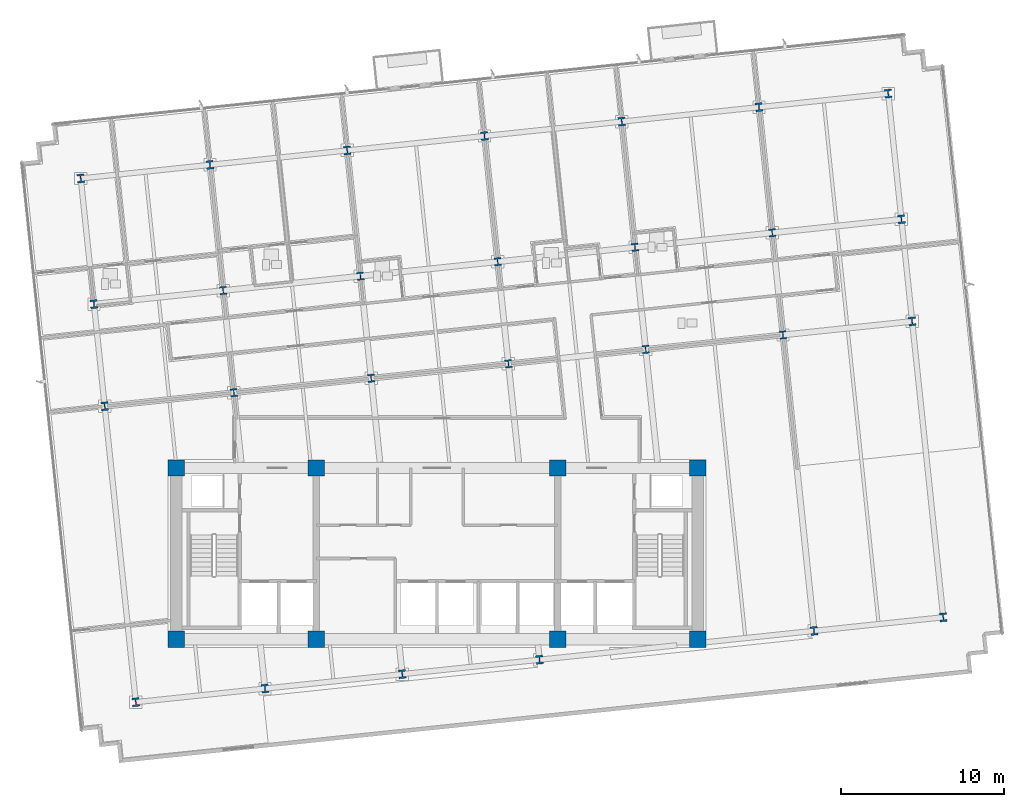
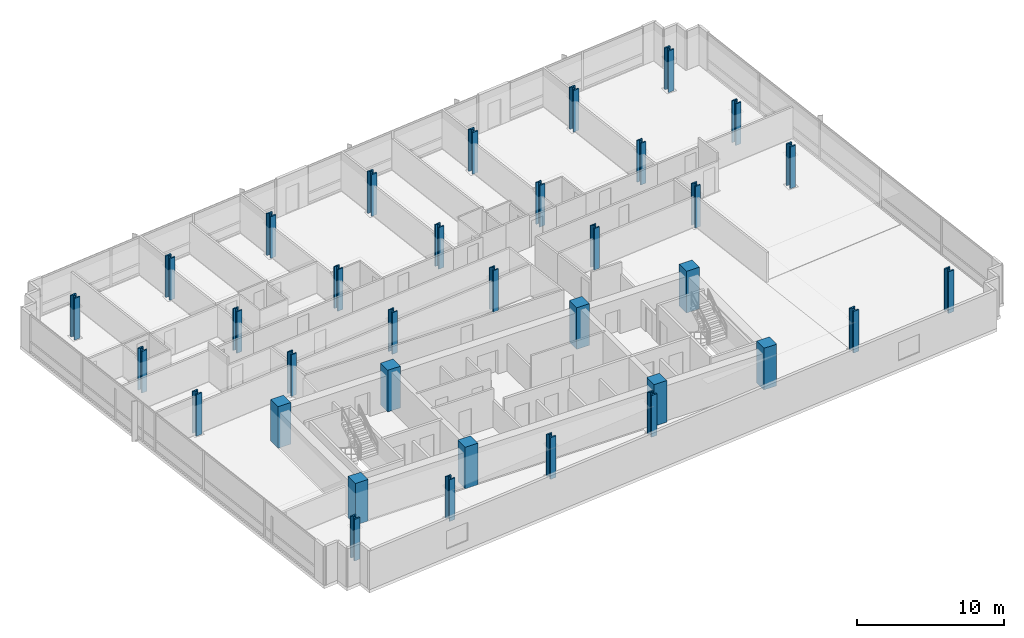
# One storey, part 1 of 18: 35 columns.
"""IFC4 building model written with IfcOpenShell, lengths in metres."""

from ifc_helpers import new_model, si_unit, direction, frame, origin, origin_2d, place, context, subcontext, project, spatial, rectangle, i_section, extrude, material, material_profile, profile_set, type_object, element, save


model = new_model("IFC4")

# Units and contexts
model_context = context("Model", 3, precision=1e-05, world=origin(), true_north=direction((0.0, 1.0)))
body_context = subcontext(model_context, "Body", "Model", "MODEL_VIEW")
ifc_project = project(units=[si_unit("LENGTHUNIT", "METRE"), si_unit("AREAUNIT", "SQUARE_METRE"), si_unit("VOLUMEUNIT", "CUBIC_METRE"), si_unit("PLANEANGLEUNIT", "RADIAN"), si_unit("MASSUNIT", "GRAM", prefix="KILO")], contexts=[model_context])

# Site, building, storey
site_placement = place(None, origin())
site = spatial("IfcSite", under=ifc_project, at=site_placement, CompositionType="ELEMENT")
building_placement = place(site_placement, origin())
building = spatial("IfcBuilding", under=site, at=building_placement, Name="Solmavex Isthmus Hotel", CompositionType="ELEMENT")
storey_placement = place(building_placement, frame((0.0, 0.0, 120.14990234375)))
storey = spatial("IfcBuildingStorey", under=building, at=storey_placement, Name="L32", CompositionType="ELEMENT", Elevation=120.14990234375)

# Columns
ifc_material_1 = material(Name="Concrete C60/75", Category="concrete")
ifc_material_profile_1 = material_profile(ifc_material_1, rectangle(XDim=1.0, YDim=1.0, at=origin_2d()), Name="RC1000X1000")
ifc_profile_set_1 = profile_set([ifc_material_profile_1], Name="Concrete C60/75")
column_type_1 = type_object("IfcColumnType", Name="COL-CC-1000", PredefinedType="COLUMN", material=ifc_profile_set_1)
for number, where, z_axis, x_axis, name in (
    (1, (-16.0, -13.0, 0.0), (0.0, 0.0, 1.0), (1.0, 0.0, 0.0), "Core Pilaster CC-SW L32"),
    (2, (-7.39990234375, -13.0, 0.0), (0.0, 0.0, 1.0), (1.0, 0.0, 0.0), "Core Pilaster CC-S1 L32"),
    (3, (7.39990234375, -13.0, 0.0), (0.0, 0.0, 1.0), (1.0, 0.0, 0.0), "Core Pilaster CC-S2 L32"),
    (4, (16.0, -13.0, 0.0), (0.0, 0.0, 1.0), (1.0, 0.0, 0.0), "Core Pilaster CC-SE L32"),
    (5, (-16.0, -2.5, 0.0), (0.0, 0.0, 1.0), (1.0, 0.0, 0.0), "Core Pilaster CC-NW L32"),
    (6, (-7.39990234375, -2.5, 0.0), (0.0, 0.0, 1.0), (1.0, 0.0, 0.0), "Core Pilaster CC-N1 L32"),
    (7, (7.39990234375, -2.5, 0.0), (0.0, 0.0, 1.0), (1.0, 0.0, 0.0), "Core Pilaster CC-N2 L32"),
    (8, (16.0, -2.5, 0.0), (0.0, 0.0, 1.0), (1.0, 0.0, 0.0), "Core Pilaster CC-NE L32"),
):
    element("IfcColumn", number, at=place(storey_placement, frame(where, z_axis=z_axis, x_axis=x_axis)), inside=storey, type_object=column_type_1, Name=name, PredefinedType="COLUMN", context=body_context, shape_type="SweptSolid", body=[
        extrude(rectangle(XDim=1.0, YDim=1.0, at=origin_2d()), origin(), (0.0, 0.0, 1.0), 3.4501953125),
    ])
ifc_material_2 = material(Name="Steel ASTM A913 Grade 65", Category="steel")
ifc_material_profile_2 = material_profile(ifc_material_2, i_section(OverallWidth=0.43212890625, OverallDepth=0.497802734375, WebThickness=0.0556640625, FlangeThickness=0.0888671875, FilletRadius=0.030517578125, at=origin_2d()), Name="W14X500")
ifc_profile_set_2 = profile_set([ifc_material_profile_2], Name="Steel ASTM A913 Grade 65")
column_type_2 = type_object("IfcColumnType", Name="COL-SC-W14X500", PredefinedType="COLUMN", material=ifc_profile_set_2)
for number, where, z_axis, x_axis, name in (
    (9, (-12.458740234375, 2.11865234375, 0.0), (0.0, 0.0, 1.0), (0.994521895368, 0.104528463268, 0.0), "Tower Column B2-U2V2 L32"),
    (10, (-13.1171875, 8.382080078125, 0.0), (0.0, 0.0, 1.0), (0.994521895368, 0.104528463268, 0.0), "Tower Column B2-U2V3 L32"),
    (11, (-4.0390625, 3.003662109375, 0.0), (0.0, 0.0, 1.0), (0.994521895368, 0.104528463268, 0.0), "Tower Column B2-U3V2 L32"),
    (12, (-4.697509765625, 9.26708984375, 0.0), (0.0, 0.0, 1.0), (0.994521895368, 0.104528463268, 0.0), "Tower Column B2-U3V3 L32"),
    (13, (4.38037109375, 3.888427734375, 0.0), (0.0, 0.0, 1.0), (0.994521895368, 0.104528463268, 0.0), "Tower Column B2-U4V2 L32"),
    (14, (3.72216796875, 10.152099609375, 0.0), (0.0, 0.0, 1.0), (0.994521895368, 0.104528463268, 0.0), "Tower Column B2-U4V3 L32"),
    (15, (12.800048828125, 4.7734375, 0.0), (0.0, 0.0, 1.0), (0.994521895368, 0.104528463268, 0.0), "Tower Column B2-U5V2 L32"),
    (16, (12.141845703125, 11.036865234375, 0.0), (0.0, 0.0, 1.0), (0.994521895368, 0.104528463268, 0.0), "Tower Column B2-U5V3 L32"),
    (17, (21.2197265625, 5.658447265625, 0.0), (0.0, 0.0, 1.0), (0.994521895368, 0.104528463268, 0.0), "Tower Column B2-U6V2 L32"),
    (18, (20.5615234375, 11.921875, 0.0), (0.0, 0.0, 1.0), (0.994521895368, 0.104528463268, 0.0), "Tower Column B2-U6V3 L32"),
):
    element("IfcColumn", number, at=place(storey_placement, frame(where, z_axis=z_axis, x_axis=x_axis)), inside=storey, type_object=column_type_2, Name=name, PredefinedType="COLUMN", context=body_context, shape_type="SweptSolid", body=[
        extrude(i_section(OverallWidth=0.43212890625, OverallDepth=0.497802734375, WebThickness=0.0556640625, FlangeThickness=0.0888671875, FilletRadius=0.030517578125, at=origin_2d()), origin(), (0.0, 0.0, 1.0), 3.4501953125),
    ])
ifc_material_profile_3 = material_profile(ifc_material_2, i_section(OverallWidth=0.442138671875, OverallDepth=0.531494140625, WebThickness=0.06591796875, FlangeThickness=0.105712890625, FilletRadius=0.030517578125, at=origin_2d()), Name="W14X605")
ifc_profile_set_3 = profile_set([ifc_material_profile_3], Name="Steel ASTM A913 Grade 65")
column_type_3 = type_object("IfcColumnType", Name="COL-SC-W14X605", PredefinedType="COLUMN", material=ifc_profile_set_3)
for number, where, z_axis, x_axis, name in (
    (19, (-18.475341796875, -16.8642578125, 0.0), (0.0, 0.0, 1.0), (0.994521895368, 0.104528463268, 0.0), "Tower Column B2-U1V1 L32"),
    (20, (-20.383056640625, 1.28564453125, 0.0), (0.0, 0.0, 1.0), (0.994521895368, 0.104528463268, 0.0), "Tower Column B2-U1V2 L32"),
    (21, (-21.04150390625, 7.54931640625, 0.0), (0.0, 0.0, 1.0), (0.994521895368, 0.104528463268, 0.0), "Tower Column B2-U1V3 L32"),
    (22, (-21.851806640625, 15.2587890625, 0.0), (0.0, 0.0, 1.0), (0.994521895368, 0.104528463268, 0.0), "Tower Column B2-U1V4 L32"),
    (23, (-10.551025390625, -16.031494140625, 0.0), (0.0, 0.0, 1.0), (0.994521895368, 0.104528463268, 0.0), "Tower Column B2-U2V1 L32"),
    (24, (-13.927490234375, 16.091552734375, 0.0), (0.0, 0.0, 1.0), (0.994521895368, 0.104528463268, 0.0), "Tower Column B2-U2V4 L32"),
    (25, (-2.131591796875, -15.146484375, 0.0), (0.0, 0.0, 1.0), (0.994521895368, 0.104528463268, 0.0), "Tower Column B2-U3V1 L32"),
    (26, (-5.5078125, 16.9765625, 0.0), (0.0, 0.0, 1.0), (0.994521895368, 0.104528463268, 0.0), "Tower Column B2-U3V4 L32"),
    (27, (6.2880859375, -14.261474609375, 0.0), (0.0, 0.0, 1.0), (0.994521895368, 0.104528463268, 0.0), "Tower Column B2-U4V1 L32"),
    (28, (2.911865234375, 17.861572265625, 0.0), (0.0, 0.0, 1.0), (0.994521895368, 0.104528463268, 0.0), "Tower Column B2-U4V4 L32"),
    (29, (11.33154296875, 18.74658203125, 0.0), (0.0, 0.0, 1.0), (0.994521895368, 0.104528463268, 0.0), "Tower Column B2-U5V4 L32"),
    (30, (23.12744140625, -12.49169921875, 0.0), (0.0, 0.0, 1.0), (0.994521895368, 0.104528463268, 0.0), "Tower Column B2-U6V1 L32"),
    (31, (19.751220703125, 19.63134765625, 0.0), (0.0, 0.0, 1.0), (0.994521895368, 0.104528463268, 0.0), "Tower Column B2-U6V4 L32"),
    (32, (31.0517578125, -11.65869140625, 0.0), (0.0, 0.0, 1.0), (0.994521895368, 0.104528463268, 0.0), "Tower Column B2-U7V1 L32"),
    (33, (29.14404296875, 6.4912109375, 0.0), (0.0, 0.0, 1.0), (0.994521895368, 0.104528463268, 0.0), "Tower Column B2-U7V2 L32"),
    (34, (28.48583984375, 12.754638671875, 0.0), (0.0, 0.0, 1.0), (0.994521895368, 0.104528463268, 0.0), "Tower Column B2-U7V3 L32"),
    (35, (27.675537109375, 20.46435546875, 0.0), (0.0, 0.0, 1.0), (0.994521895368, 0.104528463268, 0.0), "Tower Column B2-U7V4 L32"),
):
    element("IfcColumn", number, at=place(storey_placement, frame(where, z_axis=z_axis, x_axis=x_axis)), inside=storey, type_object=column_type_3, Name=name, PredefinedType="COLUMN", context=body_context, shape_type="SweptSolid", body=[
        extrude(i_section(OverallWidth=0.442138671875, OverallDepth=0.531494140625, WebThickness=0.06591796875, FlangeThickness=0.105712890625, FilletRadius=0.030517578125, at=origin_2d()), origin(), (0.0, 0.0, 1.0), 3.4501953125),
    ])

save(model, "model.ifc")
